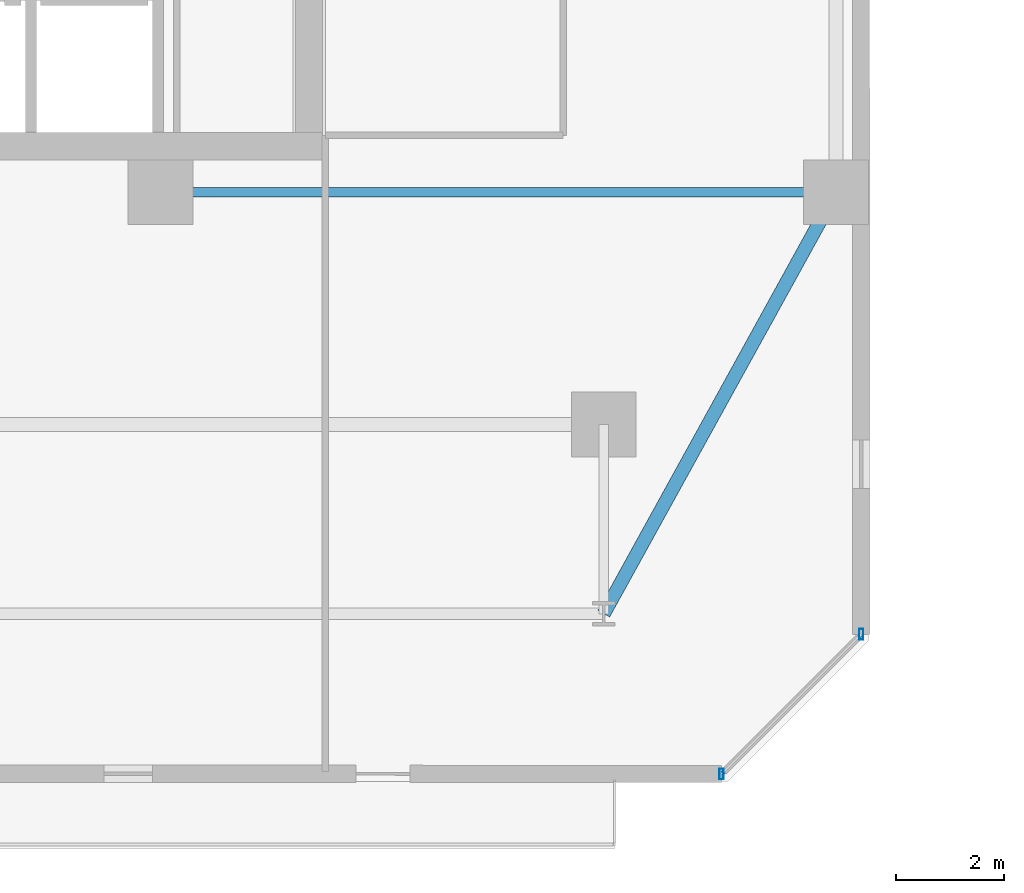
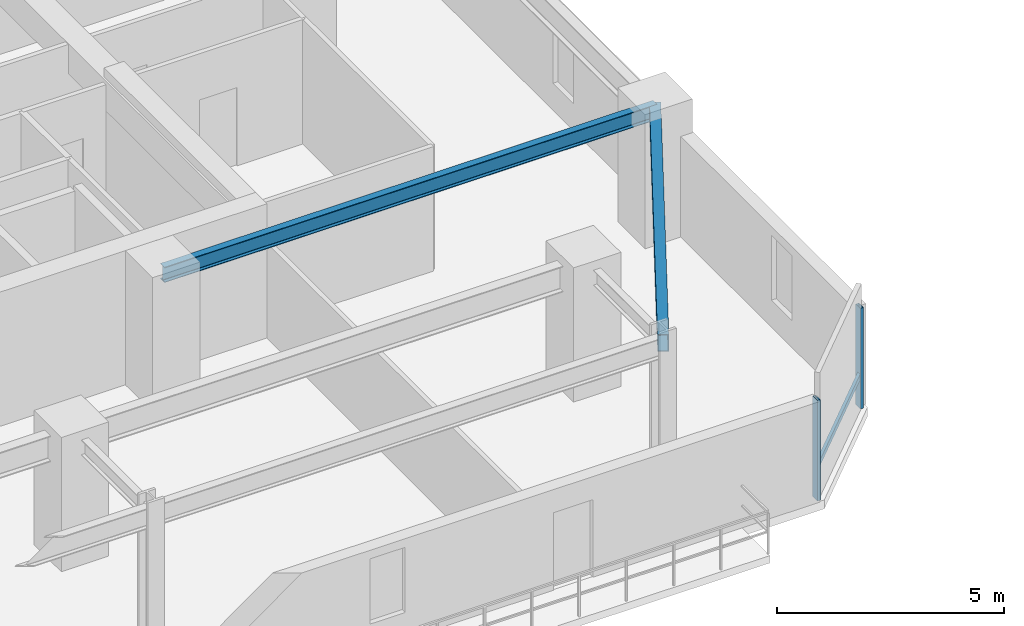
# One storey, part 5 of 31: 3 members, 2 beams, 1 element without a shape of its own.
"""IFC4 building model written with IfcOpenShell, lengths in metres."""

from ifc_helpers import new_model, si_unit, direction, frame, origin, origin_2d, place, context, subcontext, project, spatial, hollow_rectangle, i_section, extrude, material, material_profile, profile_set, type_object, element, aggregate, save


model = new_model("IFC4")

# Units and contexts
model_context = context("Model", 3, precision=1e-05, world=origin(), true_north=direction((0.0, 1.0)))
body_context = subcontext(model_context, "Body", "Model", "MODEL_VIEW")
ifc_project = project(units=[si_unit("LENGTHUNIT", "METRE"), si_unit("AREAUNIT", "SQUARE_METRE"), si_unit("VOLUMEUNIT", "CUBIC_METRE"), si_unit("PLANEANGLEUNIT", "RADIAN"), si_unit("MASSUNIT", "GRAM", prefix="KILO")], contexts=[model_context])

# Site, building, storey
site_placement = place(None, origin())
site = spatial("IfcSite", under=ifc_project, at=site_placement, CompositionType="ELEMENT")
building_placement = place(site_placement, origin())
building = spatial("IfcBuilding", under=site, at=building_placement, Name="Thornwick Lancets Civic Towers", CompositionType="ELEMENT")
storey_placement = place(building_placement, frame((0.0, 0.0, 126.89990234375)))
storey = spatial("IfcBuildingStorey", under=building, at=storey_placement, Name="L33", CompositionType="ELEMENT", Elevation=126.89990234375)

# Beams
ifc_material_1 = material(Name="Steel S355JR", Category="steel")
ifc_material_profile_1 = material_profile(ifc_material_1, i_section(OverallWidth=0.179443359375, OverallDepth=0.412841796875, WebThickness=0.009521484375, FlangeThickness=0.01611328125, FilletRadius=0.01025390625, at=origin_2d()), Name="UKB 406x178x74")
ifc_profile_set_1 = profile_set([ifc_material_profile_1], Name="Steel S355JR")
beam_type_1 = type_object("IfcBeamType", Name="BM_JOIST_406_74", PredefinedType="JOIST", material=ifc_profile_set_1)
beam_1_placement = place(storey_placement, frame((30.300048828125, 14.0, 3.15380859375), z_axis=(1.0, 0.0, 0.0), x_axis=(0.0, 1.0, 0.0)))
element("IfcBeam", 1, at=beam_1_placement, inside=storey, type_object=beam_type_1, Name="BM-RADIN-L33-A04", PredefinedType="JOIST", context=body_context, shape_type="SweptSolid", body=[
    extrude(i_section(OverallWidth=0.179443359375, OverallDepth=0.412841796875, WebThickness=0.009521484375, FlangeThickness=0.01611328125, FilletRadius=0.01025390625, at=origin_2d()), origin(), (0.0, 0.0, 1.0), 12.5),
])
ifc_material_profile_2 = material_profile(ifc_material_1, hollow_rectangle(XDim=0.25, YDim=0.449951171875, WallThickness=0.01611328125, at=origin_2d()), Name="RHS 450x250x16")
ifc_profile_set_2 = profile_set([ifc_material_profile_2], Name="Steel S355JR")
beam_type_2 = type_object("IfcBeamType", Name="BM_RING_RHS450", PredefinedType="BEAM", material=ifc_profile_set_2)
beam_2_placement = place(storey_placement, frame((38.5, 6.199951171875, 3.135009765625), z_axis=(0.482782395749, 0.875740348708, 0.0), x_axis=(-0.875740348708, 0.482782395749, 0.0)))
element("IfcBeam", 2, at=beam_2_placement, inside=storey, type_object=beam_type_2, Name="BM-CHAMF-L33-A-C0", PredefinedType="BEAM", context=body_context, shape_type="SweptSolid", body=[
    extrude(hollow_rectangle(XDim=0.25, YDim=0.449951171875, WallThickness=0.01611328125, at=origin_2d()), origin(), (0.0, 0.0, 1.0), 8.90673828125),
])

# Curtain wall, members
ifc_material_2 = material(Name="Mid-zone chamfered-corner unitised glass curtain wall", Category="glass")
curtain_wall_type = type_object("IfcCurtainWallType", Name="CW_SYS_04", PredefinedType="NOTDEFINED", material=ifc_material_2)
curtain_wall_placement = place(storey_placement, origin())
curtain_wall = element("IfcCurtainWall", 3, at=curtain_wall_placement, inside=storey, type_object=curtain_wall_type, Name="L33 Curtain Wall CW-L33-A-E1", PredefinedType="NOTDEFINED")
ifc_material_3 = material(Name="Thermally broken bronze aluminium S355", Category="steel")
ifc_material_profile_3 = material_profile(ifc_material_3, hollow_rectangle(XDim=0.080078125, YDim=0.199951171875, WallThickness=0.006103515625, at=origin_2d()), Name="RHS 200x80x6")
ifc_profile_set_3 = profile_set([ifc_material_profile_3], Name="Thermally broken bronze aluminium S355")
member_type_1 = type_object("IfcMemberType", Name="CW_MUL_200", PredefinedType="MULLION", material=ifc_profile_set_3)
member_1_placement = place(storey_placement, frame((40.681396484375, 3.2353515625, 0.0), z_axis=(0.0, 0.0, 1.0), x_axis=(1.0, 0.0, 0.0)))
member_1 = element("IfcMember", 4, at=member_1_placement, type_object=member_type_1, Name="CW-L33-A-E1 Mullion 0", PredefinedType="MULLION", context=body_context, shape_type="SweptSolid", body=[
    extrude(hollow_rectangle(XDim=0.080078125, YDim=0.199951171875, WallThickness=0.006103515625, at=origin_2d()), origin(), (0.0, 0.0, 1.0), 2.7001953125),
])
member_2_placement = place(storey_placement, frame((43.2646484375, 5.818603515625, 0.0), z_axis=(0.0, 0.0, 1.0), x_axis=(1.0, 0.0, 0.0)))
member_2 = element("IfcMember", 5, at=member_2_placement, type_object=member_type_1, Name="CW-L33-A-E1 Mullion 1", PredefinedType="MULLION", context=body_context, shape_type="SweptSolid", body=[
    extrude(hollow_rectangle(XDim=0.080078125, YDim=0.199951171875, WallThickness=0.006103515625, at=origin_2d()), origin(), (0.0, 0.0, 1.0), 2.7001953125),
])
ifc_material_profile_4 = material_profile(ifc_material_3, hollow_rectangle(XDim=0.074951171875, YDim=0.14990234375, WallThickness=0.0048828125, at=origin_2d()), Name="RHS 150x75x5")
ifc_profile_set_4 = profile_set([ifc_material_profile_4], Name="Thermally broken bronze aluminium S355")
member_type_2 = type_object("IfcMemberType", Name="CW_TRN_150", PredefinedType="USERDEFINED", material=ifc_profile_set_4)
member_3_placement = place(storey_placement, frame((40.695556640625, 3.24951171875, 0.85009765625), z_axis=(0.707106781187, 0.707106781187, 0.0), x_axis=(-0.707106781187, 0.707106781187, 0.0)))
member_3 = element("IfcMember", 6, at=member_3_placement, type_object=member_type_2, Name="CW-L33-A-E1 Transom 0", ObjectType="TRANSOM", PredefinedType="USERDEFINED", context=body_context, shape_type="SweptSolid", body=[
    extrude(hollow_rectangle(XDim=0.074951171875, YDim=0.14990234375, WallThickness=0.0048828125, at=origin_2d()), origin(), (0.0, 0.0, 1.0), 3.61328125),
])
aggregate(curtain_wall, [member_1, member_2, member_3])

save(model, "model.ifc")
